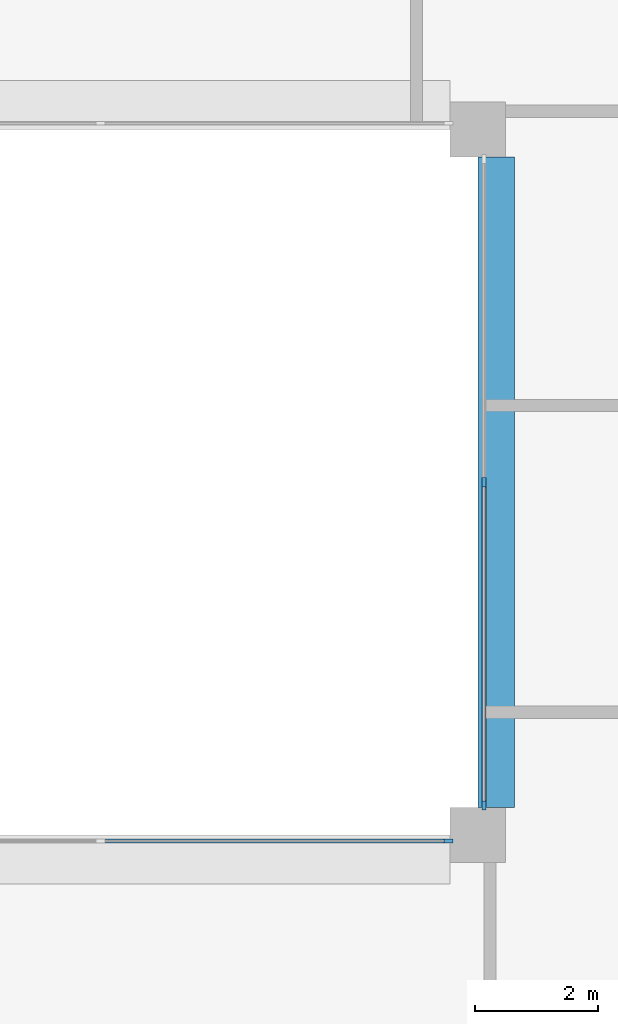
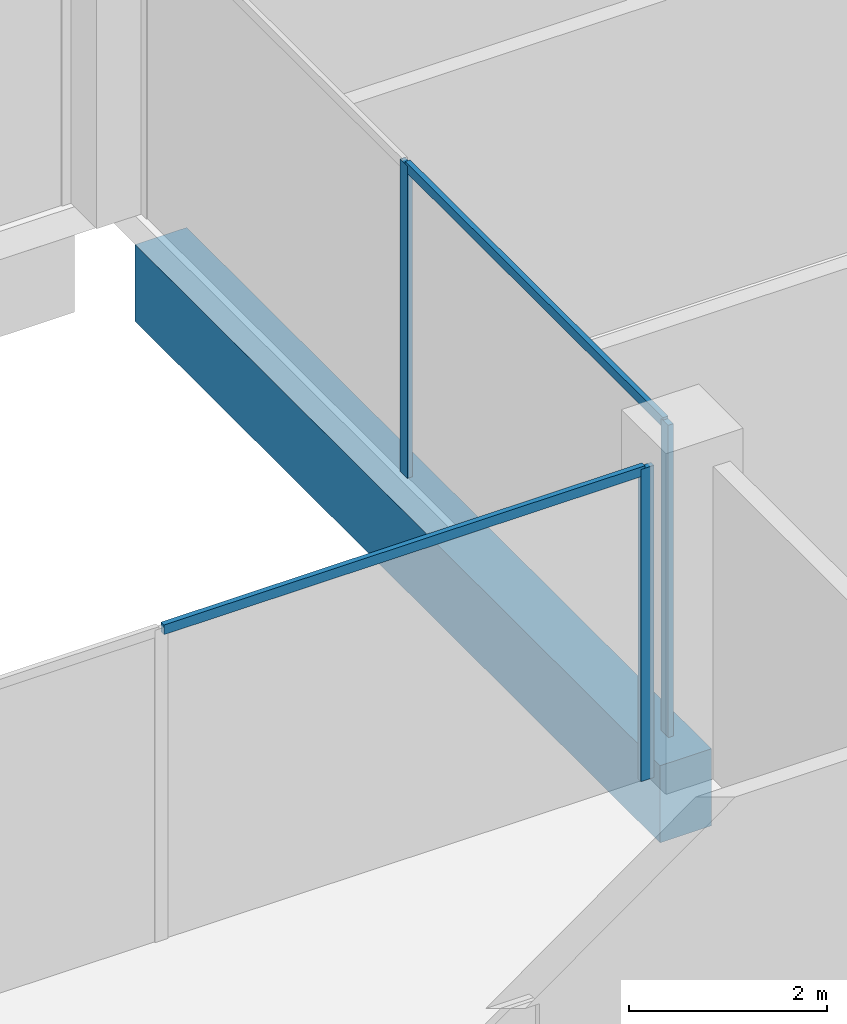
# One storey, part 5 of 15: 5 members, 1 beam, 2 elements without a shape of their own.
"""IFC4 building model written with IfcOpenShell, lengths in metres."""

from ifc_helpers import new_model, si_unit, direction, frame, origin, origin_2d, place, context, subcontext, project, spatial, rectangle, extrude, material, layer, layer_set, material_profile, profile_set, type_object, element, aggregate, save


model = new_model("IFC4")

# Units and contexts
model_context = context("Model", 3, precision=1e-05, world=origin(), true_north=direction((0.0, 1.0)))
body_context = subcontext(model_context, "Body", "Model", "MODEL_VIEW")
ifc_project = project(units=[si_unit("LENGTHUNIT", "METRE"), si_unit("AREAUNIT", "SQUARE_METRE"), si_unit("VOLUMEUNIT", "CUBIC_METRE"), si_unit("PLANEANGLEUNIT", "RADIAN"), si_unit("MASSUNIT", "GRAM", prefix="KILO")], contexts=[model_context])

# Site, building, storey
site_placement = place(None, origin())
site = spatial("IfcSite", under=ifc_project, at=site_placement, CompositionType="ELEMENT")
building_placement = place(site_placement, origin())
building = spatial("IfcBuilding", under=site, at=building_placement, Name="Brigalow Station Residences", CompositionType="ELEMENT")
storey_placement = place(building_placement, frame((0.0, 0.0, 235.800048828125)))
storey = spatial("IfcBuildingStorey", under=building, at=storey_placement, Name="L68", CompositionType="ELEMENT", Elevation=235.800048828125)

# Beam
ifc_material_1 = material(Name="Concrete C65", Category="concrete")
ifc_material_profile_1 = material_profile(ifc_material_1, rectangle(XDim=0.60009765625, YDim=0.949951171875, at=origin_2d()), Name="RC600x950")
ifc_profile_set_1 = profile_set([ifc_material_profile_1], Name="Concrete C65")
beam_type = type_object("IfcBeamType", Name="ATRIUM EDGE GIRDER 600x950 C65", PredefinedType="BEAM", material=ifc_profile_set_1)
beam_placement = place(storey_placement, frame((45.300048828125, 24.449951171875, -0.824951171875), z_axis=(0.0, 1.0, 0.0), x_axis=(-1.0, 0.0, 0.0)))
element("IfcBeam", 1, at=beam_placement, inside=storey, type_object=beam_type, Name="ATRIUM EDGE GIRDER 5 L68", PredefinedType="BEAM", context=body_context, shape_type="SweptSolid", body=[
    extrude(rectangle(XDim=0.60009765625, YDim=0.949951171875, at=origin_2d()), origin(), (0.0, 0.0, 1.0), 10.60009765625),
])

# Curtain wall, member
ifc_material_2 = material(Name="Aluminium", Category="aluminium")
ifc_layer = layer(ifc_material_2, 0.14990234375)
ifc_layer_set = layer_set([ifc_layer], Name="ATRIUM FIRE-RATED GLAZING CURTAIN WALL")
curtain_wall_type = type_object("IfcCurtainWallType", Name="ATRIUM FIRE-RATED GLAZING CURTAIN WALL", PredefinedType="NOTDEFINED", material=ifc_layer_set)
curtain_wall_1_placement = place(storey_placement, origin())
curtain_wall_1 = element("IfcCurtainWall", 2, at=curtain_wall_1_placement, inside=storey, type_object=curtain_wall_type, Name="L68/cw/atrium-S", PredefinedType="NOTDEFINED")
ifc_material_3 = material(Name="Aluminium", Category="aluminium")
ifc_material_profile_2 = material_profile(ifc_material_3, rectangle(XDim=0.06005859375, YDim=0.14990234375, at=origin_2d()), Name="ATRIUM FIRE-RATED GLAZING MULLION 60x150")
ifc_profile_set_2 = profile_set([ifc_material_profile_2], Name="Aluminium")
member_type_1 = type_object("IfcMemberType", Name="ATRIUM FIRE-RATED GLAZING MULLION 60x150", PredefinedType="MULLION", material=ifc_profile_set_2)
member_1_placement = place(storey_placement, frame((44.52001953125, 23.89990234375, 0.0), z_axis=(0.0, 0.0, 1.0), x_axis=(0.0, 1.0, 0.0)))
member_1 = element("IfcMember", 3, at=member_1_placement, type_object=member_type_1, Name="L68/cw/atrium-S/M03", PredefinedType="MULLION", context=body_context, shape_type="SweptSolid", body=[
    extrude(rectangle(XDim=0.06005859375, YDim=0.14990234375, at=origin_2d()), origin(), (0.0, 0.0, 1.0), 3.849853515625),
])

# Curtain wall, members
curtain_wall_2_placement = place(storey_placement, origin())
curtain_wall_2 = element("IfcCurtainWall", 4, at=curtain_wall_2_placement, inside=storey, type_object=curtain_wall_type, Name="L68/cw/atrium-E", PredefinedType="NOTDEFINED")
member_2_placement = place(storey_placement, frame((45.10009765625, 24.47998046875, 0.0), z_axis=(0.0, 0.0, 1.0), x_axis=(-1.0, 0.0, 0.0)))
member_2 = element("IfcMember", 5, at=member_2_placement, type_object=member_type_1, Name="L68/cw/atrium-E/M00", PredefinedType="MULLION", context=body_context, shape_type="SweptSolid", body=[
    extrude(rectangle(XDim=0.06005859375, YDim=0.14990234375, at=origin_2d()), origin(), (0.0, 0.0, 1.0), 3.849853515625),
])
member_3_placement = place(storey_placement, frame((45.10009765625, 29.75, 0.0), z_axis=(0.0, 0.0, 1.0), x_axis=(-1.0, 0.0, 0.0)))
member_3 = element("IfcMember", 6, at=member_3_placement, type_object=member_type_1, Name="L68/cw/atrium-E/M01", PredefinedType="MULLION", context=body_context, shape_type="SweptSolid", body=[
    extrude(rectangle(XDim=0.06005859375, YDim=0.14990234375, at=origin_2d()), origin(), (0.0, 0.0, 1.0), 3.849853515625),
])

# Member
ifc_material_4 = material(Name="Aluminium", Category="aluminium")
ifc_material_profile_3 = material_profile(ifc_material_4, rectangle(XDim=0.06005859375, YDim=0.1201171875, at=origin_2d()), Name="ATRIUM FIRE-RATED GLAZING TRANSOM 60x120")
ifc_profile_set_3 = profile_set([ifc_material_profile_3], Name="Aluminium")
member_type_2 = type_object("IfcMemberType", Name="ATRIUM FIRE-RATED GLAZING TRANSOM 60x120", PredefinedType="USERDEFINED", material=ifc_profile_set_3)
member_4_placement = place(storey_placement, frame((38.8798828125, 23.89990234375, 3.820068359375), z_axis=(1.0, 0.0, 0.0), x_axis=(0.0, 1.0, 0.0)))
member_4 = element("IfcMember", 7, at=member_4_placement, type_object=member_type_2, Name="L68/cw/atrium-S/T02-00", ObjectType="TRANSOM", PredefinedType="USERDEFINED", context=body_context, shape_type="SweptSolid", body=[
    extrude(rectangle(XDim=0.06005859375, YDim=0.1201171875, at=origin_2d()), origin(), (0.0, 0.0, 1.0), 5.610107421875),
])

aggregate(curtain_wall_1, [member_1, member_4])

member_5_placement = place(storey_placement, frame((45.10009765625, 24.510009765625, 3.820068359375), z_axis=(0.0, 1.0, 0.0), x_axis=(-1.0, 0.0, 0.0)))
member_5 = element("IfcMember", 8, at=member_5_placement, type_object=member_type_2, Name="L68/cw/atrium-E/T00-00", ObjectType="TRANSOM", PredefinedType="USERDEFINED", context=body_context, shape_type="SweptSolid", body=[
    extrude(rectangle(XDim=0.06005859375, YDim=0.1201171875, at=origin_2d()), origin(), (0.0, 0.0, 1.0), 5.2099609375),
])

aggregate(curtain_wall_2, [member_2, member_3, member_5])

save(model, "model.ifc")
